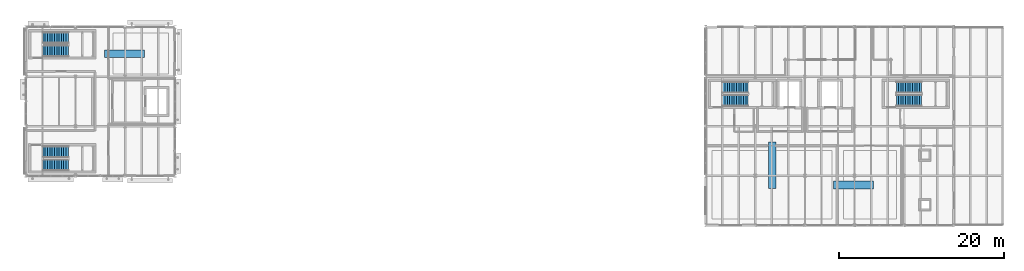
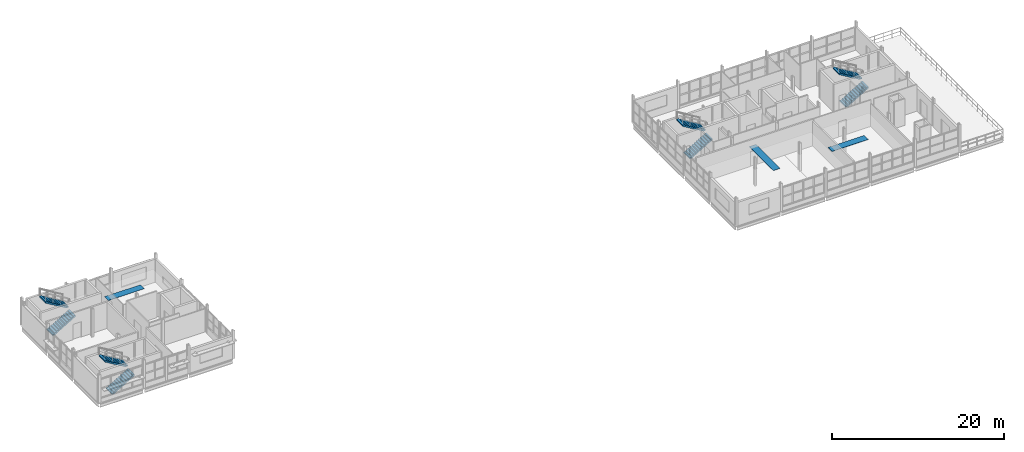
# One storey, part 20 of 23: 8 stair flights, 3 discrete accessories, 4 elements without a shape of their own.
"""IFC4 building model written with IfcOpenShell, lengths in metres."""

from ifc_helpers import new_model, si_unit, direction, frame, origin, origin_2d, place, context, subcontext, project, spatial, polyline, rectangle, outline, extrude, material, type_object, element, aggregate, save


model = new_model("IFC4")

# Units and contexts
model_context = context("Model", 3, precision=1e-05, world=origin(), true_north=direction((0.0, 1.0)))
body_context = subcontext(model_context, "Body", "Model", "MODEL_VIEW")
ifc_project = project(units=[si_unit("LENGTHUNIT", "METRE"), si_unit("AREAUNIT", "SQUARE_METRE"), si_unit("VOLUMEUNIT", "CUBIC_METRE"), si_unit("PLANEANGLEUNIT", "RADIAN"), si_unit("MASSUNIT", "GRAM", prefix="KILO")], contexts=[model_context])

# Site, building, storey
site_placement = place(None, origin())
site = spatial("IfcSite", under=ifc_project, at=site_placement, CompositionType="ELEMENT")
building_placement = place(site_placement, origin())
building = spatial("IfcBuilding", under=site, at=building_placement, Name="Siltcreek Boulevard Central Fire Station", CompositionType="ELEMENT")
storey_placement = place(building_placement, frame((0.0, 0.0, 14.0)))
storey = spatial("IfcBuildingStorey", under=building, at=storey_placement, Name="L04", CompositionType="ELEMENT", Elevation=14.0)

# Stair, stair flights
ifc_material_1 = material(Name="Precast concrete C40/50", Category="concrete")
stair_type = type_object("IfcStairType", Name="ST_DOG_H40", PredefinedType="HALF_TURN_STAIR", material=ifc_material_1)
stair_1_placement = place(storey_placement, origin())
stair_1 = element("IfcStair", 1, at=stair_1_placement, inside=storey, type_object=stair_type, Name="L04 Enclosed exit stairway ST-V3A", PredefinedType="HALF_TURN_STAIR")
stair_flight_type = type_object("IfcStairFlightType", Name="SF_DOG_H40", PredefinedType="STRAIGHT", material=ifc_material_1)
stair_flight_1_placement = place(storey_placement, frame((44.050048828125, 95.5, 0.0), z_axis=(0.0, 0.0, 1.0), x_axis=(1.0, 0.0, 0.0)))
stair_flight_1 = element("IfcStairFlight", 2, at=stair_flight_1_placement, type_object=stair_flight_type, Name="ST-V3A flight 1", NumberOfRisers=12, NumberOfTreads=11, PredefinedType="STRAIGHT", RiserHeight=0.166666667, TreadLength=0.28, context=body_context, shape_type="SweptSolid", body=[
    extrude(outline(polyline([(0.0, 0.0), (0.0, 0.166748046875), (0.280029296875, 0.166748046875), (0.280029296875, 0.333251953125), (0.56005859375, 0.333251953125), (0.56005859375, 0.5), (0.840087890625, 0.5), (0.840087890625, 0.666748046875), (1.1201171875, 0.666748046875), (1.1201171875, 0.833251953125), (1.39990234375, 0.833251953125), (1.39990234375, 1.0), (1.679931640625, 1.0), (1.679931640625, 1.166748046875), (1.9599609375, 1.166748046875), (1.9599609375, 1.333251953125), (2.239990234375, 1.333251953125), (2.239990234375, 1.5), (2.52001953125, 1.5), (2.52001953125, 1.666748046875), (2.800048828125, 1.666748046875), (2.800048828125, 1.833251953125), (3.080078125, 1.833251953125), (3.080078125, 2.0), (3.080078125, 1.647216796875), (0.312744140625, 0.0), (0.0, 0.0)])), frame((0.0, 0.699951171875, 0.0), z_axis=(0.0, -1.0, 0.0), x_axis=(1.0, 0.0, 0.0)), (0.0, 0.0, 1.0), 1.39990234375),
])
stair_flight_2_placement = place(storey_placement, frame((47.1298828125, 97.10009765625, 2.0), z_axis=(0.0, 0.0, 1.0), x_axis=(-1.0, 0.0, 0.0)))
stair_flight_2 = element("IfcStairFlight", 3, at=stair_flight_2_placement, type_object=stair_flight_type, Name="ST-V3A flight 2", NumberOfRisers=12, NumberOfTreads=11, PredefinedType="STRAIGHT", RiserHeight=0.166666667, TreadLength=0.28, context=body_context, shape_type="SweptSolid", body=[
    extrude(outline(polyline([(0.0, 0.0), (0.0, 0.166748046875), (0.280029296875, 0.166748046875), (0.280029296875, 0.333251953125), (0.56005859375, 0.333251953125), (0.56005859375, 0.5), (0.840087890625, 0.5), (0.840087890625, 0.666748046875), (1.1201171875, 0.666748046875), (1.1201171875, 0.833251953125), (1.39990234375, 0.833251953125), (1.39990234375, 1.0), (1.679931640625, 1.0), (1.679931640625, 1.166748046875), (1.9599609375, 1.166748046875), (1.9599609375, 1.333251953125), (2.239990234375, 1.333251953125), (2.239990234375, 1.5), (2.52001953125, 1.5), (2.52001953125, 1.666748046875), (2.800048828125, 1.666748046875), (2.800048828125, 1.833251953125), (3.080078125, 1.833251953125), (3.080078125, 2.0), (3.080078125, 1.647216796875), (0.312744140625, 0.0), (0.0, 0.0)])), frame((0.0, 0.699951171875, 0.0), z_axis=(0.0, -1.0, 0.0), x_axis=(1.0, 0.0, 0.0)), (0.0, 0.0, 1.0), 1.39990234375),
])
aggregate(stair_1, [stair_flight_1, stair_flight_2])

stair_2_placement = place(storey_placement, origin())
stair_2 = element("IfcStair", 4, at=stair_2_placement, inside=storey, type_object=stair_type, Name="L04 Enclosed exit stairway ST-V3B", PredefinedType="HALF_TURN_STAIR")
stair_flight_3_placement = place(storey_placement, frame((44.050048828125, 109.300048828125, 0.0), z_axis=(0.0, 0.0, 1.0), x_axis=(1.0, 0.0, 0.0)))
stair_flight_3 = element("IfcStairFlight", 5, at=stair_flight_3_placement, type_object=stair_flight_type, Name="ST-V3B flight 1", NumberOfRisers=12, NumberOfTreads=11, PredefinedType="STRAIGHT", RiserHeight=0.166666667, TreadLength=0.28, context=body_context, shape_type="SweptSolid", body=[
    extrude(outline(polyline([(0.0, 0.0), (0.0, 0.166748046875), (0.280029296875, 0.166748046875), (0.280029296875, 0.333251953125), (0.56005859375, 0.333251953125), (0.56005859375, 0.5), (0.840087890625, 0.5), (0.840087890625, 0.666748046875), (1.1201171875, 0.666748046875), (1.1201171875, 0.833251953125), (1.39990234375, 0.833251953125), (1.39990234375, 1.0), (1.679931640625, 1.0), (1.679931640625, 1.166748046875), (1.9599609375, 1.166748046875), (1.9599609375, 1.333251953125), (2.239990234375, 1.333251953125), (2.239990234375, 1.5), (2.52001953125, 1.5), (2.52001953125, 1.666748046875), (2.800048828125, 1.666748046875), (2.800048828125, 1.833251953125), (3.080078125, 1.833251953125), (3.080078125, 2.0), (3.080078125, 1.647216796875), (0.312744140625, 0.0), (0.0, 0.0)])), frame((0.0, 0.699951171875, 0.0), z_axis=(0.0, -1.0, 0.0), x_axis=(1.0, 0.0, 0.0)), (0.0, 0.0, 1.0), 1.39990234375),
])
stair_flight_4_placement = place(storey_placement, frame((47.1298828125, 110.89990234375, 2.0), z_axis=(0.0, 0.0, 1.0), x_axis=(-1.0, 0.0, 0.0)))
stair_flight_4 = element("IfcStairFlight", 6, at=stair_flight_4_placement, type_object=stair_flight_type, Name="ST-V3B flight 2", NumberOfRisers=12, NumberOfTreads=11, PredefinedType="STRAIGHT", RiserHeight=0.166666667, TreadLength=0.28, context=body_context, shape_type="SweptSolid", body=[
    extrude(outline(polyline([(0.0, 0.0), (0.0, 0.166748046875), (0.280029296875, 0.166748046875), (0.280029296875, 0.333251953125), (0.56005859375, 0.333251953125), (0.56005859375, 0.5), (0.840087890625, 0.5), (0.840087890625, 0.666748046875), (1.1201171875, 0.666748046875), (1.1201171875, 0.833251953125), (1.39990234375, 0.833251953125), (1.39990234375, 1.0), (1.679931640625, 1.0), (1.679931640625, 1.166748046875), (1.9599609375, 1.166748046875), (1.9599609375, 1.333251953125), (2.239990234375, 1.333251953125), (2.239990234375, 1.5), (2.52001953125, 1.5), (2.52001953125, 1.666748046875), (2.800048828125, 1.666748046875), (2.800048828125, 1.833251953125), (3.080078125, 1.833251953125), (3.080078125, 2.0), (3.080078125, 1.647216796875), (0.312744140625, 0.0), (0.0, 0.0)])), frame((0.0, 0.699951171875, 0.0), z_axis=(0.0, -1.0, 0.0), x_axis=(1.0, 0.0, 0.0)), (0.0, 0.0, 1.0), 1.39990234375),
])
aggregate(stair_2, [stair_flight_3, stair_flight_4])

stair_3_placement = place(storey_placement, origin())
stair_3 = element("IfcStair", 7, at=stair_3_placement, inside=storey, type_object=stair_type, Name="L04 Enclosed exit stairway ST-V5A", PredefinedType="HALF_TURN_STAIR")
stair_flight_5_placement = place(storey_placement, frame((126.25, 103.300048828125, 0.0), z_axis=(0.0, 0.0, 1.0), x_axis=(1.0, 0.0, 0.0)))
stair_flight_5 = element("IfcStairFlight", 8, at=stair_flight_5_placement, type_object=stair_flight_type, Name="ST-V5A flight 1", NumberOfRisers=12, NumberOfTreads=11, PredefinedType="STRAIGHT", RiserHeight=0.166666667, TreadLength=0.28, context=body_context, shape_type="SweptSolid", body=[
    extrude(outline(polyline([(0.0, 0.0), (0.0, 0.166748046875), (0.280029296875, 0.166748046875), (0.280029296875, 0.333251953125), (0.56005859375, 0.333251953125), (0.56005859375, 0.5), (0.840087890625, 0.5), (0.840087890625, 0.666748046875), (1.1201171875, 0.666748046875), (1.1201171875, 0.833251953125), (1.39990234375, 0.833251953125), (1.39990234375, 1.0), (1.679931640625, 1.0), (1.679931640625, 1.166748046875), (1.9599609375, 1.166748046875), (1.9599609375, 1.333251953125), (2.239990234375, 1.333251953125), (2.239990234375, 1.5), (2.52001953125, 1.5), (2.52001953125, 1.666748046875), (2.800048828125, 1.666748046875), (2.800048828125, 1.833251953125), (3.080078125, 1.833251953125), (3.080078125, 2.0), (3.080078125, 1.647216796875), (0.312744140625, 0.0), (0.0, 0.0)])), frame((0.0, 0.699951171875, 0.0), z_axis=(0.0, -1.0, 0.0), x_axis=(1.0, 0.0, 0.0)), (0.0, 0.0, 1.0), 1.39990234375),
])
stair_flight_6_placement = place(storey_placement, frame((129.330078125, 104.89990234375, 2.0), z_axis=(0.0, 0.0, 1.0), x_axis=(-1.0, 0.0, 0.0)))
stair_flight_6 = element("IfcStairFlight", 9, at=stair_flight_6_placement, type_object=stair_flight_type, Name="ST-V5A flight 2", NumberOfRisers=12, NumberOfTreads=11, PredefinedType="STRAIGHT", RiserHeight=0.166666667, TreadLength=0.28, context=body_context, shape_type="SweptSolid", body=[
    extrude(outline(polyline([(0.0, 0.0), (0.0, 0.166748046875), (0.280029296875, 0.166748046875), (0.280029296875, 0.333251953125), (0.56005859375, 0.333251953125), (0.56005859375, 0.5), (0.840087890625, 0.5), (0.840087890625, 0.666748046875), (1.1201171875, 0.666748046875), (1.1201171875, 0.833251953125), (1.39990234375, 0.833251953125), (1.39990234375, 1.0), (1.679931640625, 1.0), (1.679931640625, 1.166748046875), (1.9599609375, 1.166748046875), (1.9599609375, 1.333251953125), (2.239990234375, 1.333251953125), (2.239990234375, 1.5), (2.52001953125, 1.5), (2.52001953125, 1.666748046875), (2.800048828125, 1.666748046875), (2.800048828125, 1.833251953125), (3.080078125, 1.833251953125), (3.080078125, 2.0), (3.080078125, 1.647216796875), (0.312744140625, 0.0), (0.0, 0.0)])), frame((0.0, 0.699951171875, 0.0), z_axis=(0.0, -1.0, 0.0), x_axis=(1.0, 0.0, 0.0)), (0.0, 0.0, 1.0), 1.39990234375),
])
aggregate(stair_3, [stair_flight_5, stair_flight_6])

stair_4_placement = place(storey_placement, origin())
stair_4 = element("IfcStair", 10, at=stair_4_placement, inside=storey, type_object=stair_type, Name="L04 Enclosed exit stairway ST-V5B", PredefinedType="HALF_TURN_STAIR")
stair_flight_7_placement = place(storey_placement, frame((147.25, 103.300048828125, 0.0), z_axis=(0.0, 0.0, 1.0), x_axis=(1.0, 0.0, 0.0)))
stair_flight_7 = element("IfcStairFlight", 11, at=stair_flight_7_placement, type_object=stair_flight_type, Name="ST-V5B flight 1", NumberOfRisers=12, NumberOfTreads=11, PredefinedType="STRAIGHT", RiserHeight=0.166666667, TreadLength=0.28, context=body_context, shape_type="SweptSolid", body=[
    extrude(outline(polyline([(0.0, 0.0), (0.0, 0.166748046875), (0.280029296875, 0.166748046875), (0.280029296875, 0.333251953125), (0.56005859375, 0.333251953125), (0.56005859375, 0.5), (0.840087890625, 0.5), (0.840087890625, 0.666748046875), (1.1201171875, 0.666748046875), (1.1201171875, 0.833251953125), (1.39990234375, 0.833251953125), (1.39990234375, 1.0), (1.679931640625, 1.0), (1.679931640625, 1.166748046875), (1.9599609375, 1.166748046875), (1.9599609375, 1.333251953125), (2.239990234375, 1.333251953125), (2.239990234375, 1.5), (2.52001953125, 1.5), (2.52001953125, 1.666748046875), (2.800048828125, 1.666748046875), (2.800048828125, 1.833251953125), (3.080078125, 1.833251953125), (3.080078125, 2.0), (3.080078125, 1.647216796875), (0.312744140625, 0.0), (0.0, 0.0)])), frame((0.0, 0.699951171875, 0.0), z_axis=(0.0, -1.0, 0.0), x_axis=(1.0, 0.0, 0.0)), (0.0, 0.0, 1.0), 1.39990234375),
])
stair_flight_8_placement = place(storey_placement, frame((150.330078125, 104.89990234375, 2.0), z_axis=(0.0, 0.0, 1.0), x_axis=(-1.0, 0.0, 0.0)))
stair_flight_8 = element("IfcStairFlight", 12, at=stair_flight_8_placement, type_object=stair_flight_type, Name="ST-V5B flight 2", NumberOfRisers=12, NumberOfTreads=11, PredefinedType="STRAIGHT", RiserHeight=0.166666667, TreadLength=0.28, context=body_context, shape_type="SweptSolid", body=[
    extrude(outline(polyline([(0.0, 0.0), (0.0, 0.166748046875), (0.280029296875, 0.166748046875), (0.280029296875, 0.333251953125), (0.56005859375, 0.333251953125), (0.56005859375, 0.5), (0.840087890625, 0.5), (0.840087890625, 0.666748046875), (1.1201171875, 0.666748046875), (1.1201171875, 0.833251953125), (1.39990234375, 0.833251953125), (1.39990234375, 1.0), (1.679931640625, 1.0), (1.679931640625, 1.166748046875), (1.9599609375, 1.166748046875), (1.9599609375, 1.333251953125), (2.239990234375, 1.333251953125), (2.239990234375, 1.5), (2.52001953125, 1.5), (2.52001953125, 1.666748046875), (2.800048828125, 1.666748046875), (2.800048828125, 1.833251953125), (3.080078125, 1.833251953125), (3.080078125, 2.0), (3.080078125, 1.647216796875), (0.312744140625, 0.0), (0.0, 0.0)])), frame((0.0, 0.699951171875, 0.0), z_axis=(0.0, -1.0, 0.0), x_axis=(1.0, 0.0, 0.0)), (0.0, 0.0, 1.0), 1.39990234375),
])
aggregate(stair_4, [stair_flight_7, stair_flight_8])

# Discrete accessories
ifc_material_2 = material(Name="Hot-dip galvanized steel facade outrigger bracket", Category="steel")
discrete_accessory_type = type_object("IfcDiscreteAccessoryType", Name="ACC_BRACKET", PredefinedType="BRACKET", material=ifc_material_2)
discrete_accessory_1_placement = place(storey_placement, frame((132.228759765625, 95.472412109375, 2.411865234375), z_axis=(0.0, 0.0, 1.0), x_axis=(1.0, 0.0, 0.0)))
element("IfcDiscreteAccessory", 13, at=discrete_accessory_1_placement, inside=storey, type_object=discrete_accessory_type, Name="L04 acoustic ceiling wall ledger bracket 035", PredefinedType="BRACKET", context=body_context, shape_type="SweptSolid", body=[
    extrude(rectangle(XDim=0.907470703125, YDim=5.635009765625, at=origin_2d()), origin(), (0.0, 0.0, 1.0), 0.0400390625),
])
discrete_accessory_2_placement = place(storey_placement, frame((142.077392578125, 93.078857421875, 2.411865234375), z_axis=(0.0, 0.0, 1.0), x_axis=(1.0, 0.0, 0.0)))
element("IfcDiscreteAccessory", 14, at=discrete_accessory_2_placement, inside=storey, type_object=discrete_accessory_type, Name="L04 acoustic ceiling wall ledger bracket 036", PredefinedType="BRACKET", context=body_context, shape_type="SweptSolid", body=[
    extrude(rectangle(XDim=4.89501953125, YDim=0.952392578125, at=origin_2d()), origin(), (0.0, 0.0, 1.0), 0.0400390625),
])
discrete_accessory_3_placement = place(storey_placement, frame((53.927490234375, 108.980712890625, 2.411865234375), z_axis=(0.0, 0.0, 1.0), x_axis=(1.0, 0.0, 0.0)))
element("IfcDiscreteAccessory", 15, at=discrete_accessory_3_placement, inside=storey, type_object=discrete_accessory_type, Name="L04 acoustic ceiling wall ledger bracket 037", PredefinedType="BRACKET", context=body_context, shape_type="SweptSolid", body=[
    extrude(rectangle(XDim=4.8349609375, YDim=0.911376953125, at=origin_2d()), origin(), (0.0, 0.0, 1.0), 0.0400390625),
])

save(model, "model.ifc")
